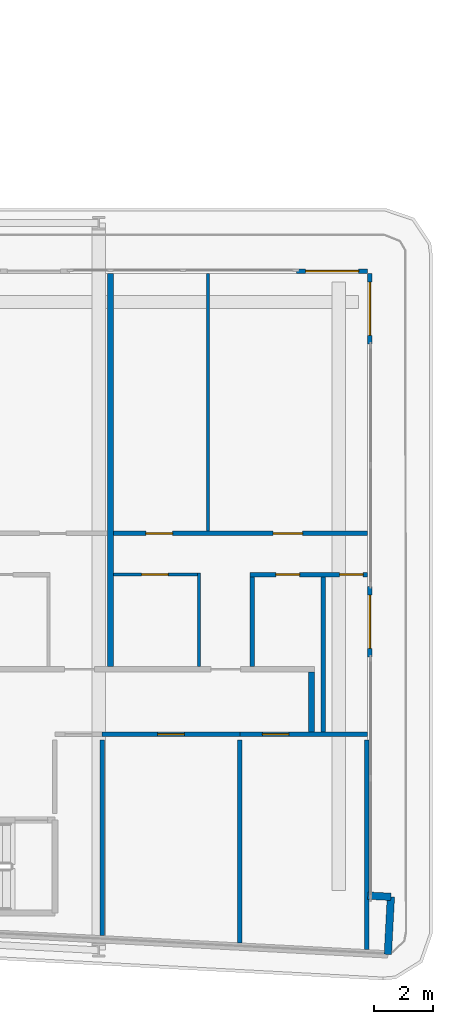
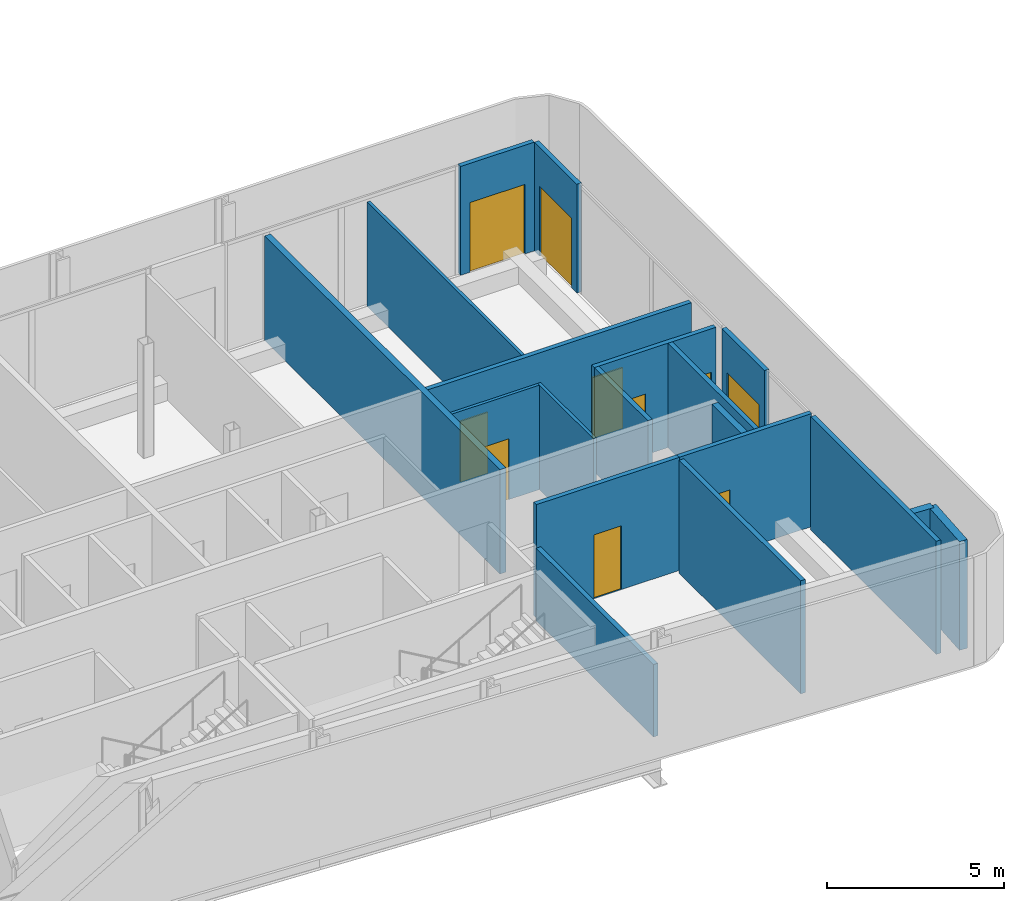
# One storey, part 19 of 28: 19 walls, 10 doors, 10 openings.
"""IFC4 building model written with IfcOpenShell, lengths in metres."""

from ifc_helpers import new_model, si_unit, direction, frame, frame_2d, origin, place, context, subcontext, project, spatial, rectangle, extrude, source, transform, mapped, material, layer, layer_set, type_object, element, fill, save


model = new_model("IFC4")

# Units and contexts
model_context = context("Model", 3, precision=1e-05, world=origin(), true_north=direction((0.0, 1.0)))
body_context = subcontext(model_context, "Body", "Model", "MODEL_VIEW")
ifc_project = project(units=[si_unit("LENGTHUNIT", "METRE"), si_unit("AREAUNIT", "SQUARE_METRE"), si_unit("VOLUMEUNIT", "CUBIC_METRE"), si_unit("PLANEANGLEUNIT", "RADIAN"), si_unit("MASSUNIT", "GRAM", prefix="KILO")], contexts=[model_context])

# Site, building, storey
site_placement = place(None, origin())
site = spatial("IfcSite", under=ifc_project, at=site_placement, CompositionType="ELEMENT")
building_placement = place(site_placement, origin())
building = spatial("IfcBuilding", under=site, at=building_placement, Name="Kheshtan School and Residences Tower", CompositionType="ELEMENT")
storey_placement = place(building_placement, frame((0.0, 0.0, 133.10009765625)))
storey = spatial("IfcBuildingStorey", under=building, at=storey_placement, Name="L31", CompositionType="ELEMENT", Elevation=133.10009765625)

# Walls
ifc_material_1 = material(Name="Gypsum board on steel studs with fire boards", Category="steel")
ifc_layer_1 = layer(ifc_material_1, 0.199951171875)
ifc_layer_set_1 = layer_set([ifc_layer_1], Name="Corridor wall 200")
wall_type_1 = type_object("IfcWallType", Name="Corridor wall 200", PredefinedType="PARTITIONING", material=ifc_layer_set_1)
wall_1_placement = place(storey_placement, frame((98.0, 28.3740234375, 0.0), z_axis=(0.0, 0.0, 1.0), x_axis=(0.0, 1.0, 0.0)))
element("IfcWall", 1, at=wall_1_placement, inside=storey, type_object=wall_type_1, Name="Partition L31-086", PredefinedType="PARTITIONING", context=body_context, shape_type="SweptSolid", body=[
    extrude(rectangle(XDim=2.02587890625, YDim=0.199951171875, at=frame_2d((1.012939453125, 0.0))), origin(), (0.0, 0.0, 1.0), 3.599853515625),
])
ifc_material_2 = material(Name="Concrete C40/50 with ceramic cladding and mineral wool insulation", Category="concrete")
ifc_layer_2 = layer(ifc_material_2, 0.25)
ifc_layer_set_2 = layer_set([ifc_layer_2], Name="External wall 250 ceramic clad")
wall_type_2 = type_object("IfcWallType", Name="External wall 250 ceramic clad", PredefinedType="SOLIDWALL", material=ifc_layer_set_2)
wall_2_placement = place(storey_placement, frame((99.906982421875, 22.839111328125, 0.0), z_axis=(0.0, 0.0, 1.0), x_axis=(0.998561284263, -0.053622398031, 0.0)))
element("IfcWall", 2, at=wall_2_placement, inside=storey, type_object=wall_type_2, Name="External wall L31 14", PredefinedType="SOLIDWALL", context=body_context, shape_type="SweptSolid", body=[
    extrude(rectangle(XDim=0.783203125, YDim=0.25, at=frame_2d((0.3916015625, 0.0))), origin(), (0.0, 0.0, 1.0), 3.75),
])
wall_3_placement = place(storey_placement, frame((100.68896484375, 22.797119140625, 0.0), z_axis=(0.0, 0.0, 1.0), x_axis=(-0.052841433274, -0.998602915542, 0.0)))
element("IfcWall", 3, at=wall_3_placement, inside=storey, type_object=wall_type_2, Name="External wall L31 15", PredefinedType="SOLIDWALL", context=body_context, shape_type="SweptSolid", body=[
    extrude(rectangle(XDim=1.94970703125, YDim=0.25, at=frame_2d((0.974853515625, 0.0))), origin(), (0.0, 0.0, 1.0), 3.75),
])

# Wall, opening, door
ifc_material_3 = material(Name="Aluminium frame wall with insulated infill", Category="aluminium")
ifc_layer_3 = layer(ifc_material_3, 0.14990234375)
ifc_layer_set_3 = layer_set([ifc_layer_3], Name="Glazing frame wall 150")
wall_type_3 = type_object("IfcWallType", Name="Glazing frame wall 150", PredefinedType="SOLIDWALL", material=ifc_layer_set_3)
wall_4_placement = place(storey_placement, frame((97.5, 43.97509765625, 0.0), z_axis=(0.0, 0.0, 1.0), x_axis=(1.0, 0.0, 0.0)))
wall_4 = element("IfcWall", 4, at=wall_4_placement, inside=storey, type_object=wall_type_3, Name="Balcony door wall L31 12.5", PredefinedType="SOLIDWALL", context=body_context, shape_type="SweptSolid", body=[
    extrude(rectangle(XDim=2.39990234375, YDim=0.14990234375, at=frame_2d((1.199951171875, 0.0))), origin(), (0.0, 0.0, 1.0), 3.75),
])
opening_1_placement = place(wall_4_placement, frame((0.300048828125, 0.0, 0.0)))
opening_1 = element("IfcOpeningElement", 5, at=opening_1_placement, cuts=wall_4, Name="Opening BD", PredefinedType="OPENING", context=body_context, shape_type="SweptSolid", body=[
    extrude(rectangle(XDim=1.800048828125, YDim=2.39990234375, at=frame_2d((0.89990234375, 1.199951171875))), frame((0.0, 0.0849609375, 0.0), z_axis=(0.0, -1.0, 0.0), x_axis=(1.0, 0.0, 0.0)), (0.0, 0.0, 1.0), 0.169921875),
])
ifc_material_4 = material(Name="Clear low-e glass in thermally broken aluminium frame", Category="aluminium")
door_type_1 = type_object("IfcDoorType", Name="Balcony sliding door", OperationType="SLIDING_TO_LEFT", PredefinedType="DOOR", material=ifc_material_4)
shared_shape_1 = source(origin(), body_context, "Body", "SweptSolid", [
    extrude(rectangle(XDim=1.800048828125, YDim=2.39990234375, at=frame_2d((0.89990234375, 1.199951171875))), frame((0.0, 0.02490234375, 0.0), z_axis=(0.0, -1.0, 0.0), x_axis=(1.0, 0.0, 0.0)), (0.0, 0.0, 1.0), 0.050048828125),
])
door_1_placement = place(opening_1_placement, origin())
door_1 = element("IfcDoor", 6, at=door_1_placement, inside=storey, type_object=door_type_1, Name="Balcony door L31 12.5", OperationType="SLIDING_TO_LEFT", OverallHeight=2.39990234375, OverallWidth=1.800048828125, PredefinedType="DOOR", context=body_context, shape_type="MappedRepresentation", body=[
    mapped(shared_shape_1, transform((0.0, 0.0, 0.0), x_axis=(1.0, 0.0, 0.0), y_axis=(0.0, 1.0, 0.0), z_axis=(0.0, 0.0, 1.0), scale=1.0)),
])
fill(opening_1, door_1)

wall_5_placement = place(storey_placement, frame((99.97509765625, 43.89990234375, 0.0), z_axis=(0.0, 0.0, 1.0), x_axis=(0.0, -1.0, 0.0)))
wall_5 = element("IfcWall", 7, at=wall_5_placement, inside=storey, type_object=wall_type_3, Name="Balcony door wall L31 13.1", PredefinedType="SOLIDWALL", context=body_context, shape_type="SweptSolid", body=[
    extrude(rectangle(XDim=2.39990234375, YDim=0.14990234375, at=frame_2d((1.199951171875, 0.0))), origin(), (0.0, 0.0, 1.0), 3.75),
])
opening_2_placement = place(wall_5_placement, frame((0.300048828125, 0.0, 0.0)))
opening_2 = element("IfcOpeningElement", 8, at=opening_2_placement, cuts=wall_5, Name="Opening BD", PredefinedType="OPENING", context=body_context, shape_type="SweptSolid", body=[
    extrude(rectangle(XDim=1.800048828125, YDim=2.39990234375, at=frame_2d((0.89990234375, 1.199951171875))), frame((0.0, 0.0849609375, 0.0), z_axis=(0.0, -1.0, 0.0), x_axis=(1.0, 0.0, 0.0)), (0.0, 0.0, 1.0), 0.169921875),
])
door_2_placement = place(opening_2_placement, origin())
door_2 = element("IfcDoor", 9, at=door_2_placement, inside=storey, type_object=door_type_1, Name="Balcony door L31 13.1", OperationType="SLIDING_TO_LEFT", OverallHeight=2.39990234375, OverallWidth=1.800048828125, PredefinedType="DOOR", context=body_context, shape_type="MappedRepresentation", body=[
    mapped(shared_shape_1, transform((0.0, 0.0, 0.0), x_axis=(1.0, 0.0, 0.0), y_axis=(0.0, 1.0, 0.0), z_axis=(0.0, 0.0, 1.0), scale=1.0)),
])
fill(opening_2, door_2)

wall_6_placement = place(storey_placement, frame((99.97509765625, 33.306884765625, 0.0), z_axis=(0.0, 0.0, 1.0), x_axis=(0.0, -1.0, 0.0)))
wall_6 = element("IfcWall", 10, at=wall_6_placement, inside=storey, type_object=wall_type_3, Name="Balcony door wall L31 13.2", PredefinedType="SOLIDWALL", context=body_context, shape_type="SweptSolid", body=[
    extrude(rectangle(XDim=2.39990234375, YDim=0.14990234375, at=frame_2d((1.199951171875, 0.0))), origin(), (0.0, 0.0, 1.0), 3.75),
])
opening_3_placement = place(wall_6_placement, frame((0.300048828125, 0.0, 0.0)))
opening_3 = element("IfcOpeningElement", 11, at=opening_3_placement, cuts=wall_6, Name="Opening BD", PredefinedType="OPENING", context=body_context, shape_type="SweptSolid", body=[
    extrude(rectangle(XDim=1.800048828125, YDim=2.39990234375, at=frame_2d((0.89990234375, 1.199951171875))), frame((0.0, 0.0849609375, 0.0), z_axis=(0.0, -1.0, 0.0), x_axis=(1.0, 0.0, 0.0)), (0.0, 0.0, 1.0), 0.169921875),
])
door_3_placement = place(opening_3_placement, origin())
door_3 = element("IfcDoor", 12, at=door_3_placement, inside=storey, type_object=door_type_1, Name="Balcony door L31 13.2", OperationType="SLIDING_TO_LEFT", OverallHeight=2.39990234375, OverallWidth=1.800048828125, PredefinedType="DOOR", context=body_context, shape_type="MappedRepresentation", body=[
    mapped(shared_shape_1, transform((0.0, 0.0, 0.0), x_axis=(1.0, 0.0, 0.0), y_axis=(0.0, 1.0, 0.0), z_axis=(0.0, 0.0, 1.0), scale=1.0)),
])
fill(opening_3, door_3)

ifc_material_5 = material(Name="Gypsum board on steel studs", Category="steel")
ifc_layer_4 = layer(ifc_material_5, 0.10009765625)
ifc_layer_set_4 = layer_set([ifc_layer_4], Name="Gypsum partition 100")
wall_type_4 = type_object("IfcWallType", Name="Gypsum partition 100", PredefinedType="PARTITIONING", material=ifc_layer_set_4)
wall_7_placement = place(storey_placement, frame((91.300048828125, 33.699951171875, 0.0), z_axis=(0.0, 0.0, 1.0), x_axis=(1.0, 0.0, 0.0)))
wall_7 = element("IfcWall", 13, at=wall_7_placement, inside=storey, type_object=wall_type_4, Name="Partition L31-080", PredefinedType="PARTITIONING", context=body_context, shape_type="SweptSolid", body=[
    extrude(rectangle(XDim=2.849853515625, YDim=0.10009765625, at=frame_2d((1.4248046875, 0.0))), origin(), (0.0, 0.0, 1.0), 3.599853515625),
])
opening_4_placement = place(wall_7_placement, frame((0.949951171875, 0.0, 0.0)))
opening_4 = element("IfcOpeningElement", 14, at=opening_4_placement, cuts=wall_7, Name="Opening D29-030", PredefinedType="OPENING", context=body_context, shape_type="SweptSolid", body=[
    extrude(rectangle(XDim=0.89990234375, YDim=2.10009765625, at=frame_2d((0.449951171875, 1.050048828125))), frame((0.0, 0.06005859375, 0.0), z_axis=(0.0, -1.0, 0.0), x_axis=(1.0, 0.0, 0.0)), (0.0, 0.0, 1.0), 0.1201171875),
])
ifc_material_6 = material(Name="Veneered timber door leaf", Category="wood")
door_type_2 = type_object("IfcDoorType", Name="Door 900 x 2100", OperationType="SINGLE_SWING_LEFT", PredefinedType="DOOR", material=ifc_material_6)
shared_shape_2 = source(origin(), body_context, "Body", "SweptSolid", [
    extrude(rectangle(XDim=0.89990234375, YDim=2.10009765625, at=frame_2d((0.449951171875, 1.050048828125))), frame((0.0, 0.02490234375, 0.0), z_axis=(0.0, -1.0, 0.0), x_axis=(1.0, 0.0, 0.0)), (0.0, 0.0, 1.0), 0.050048828125),
])
door_4_placement = place(opening_4_placement, origin())
door_4 = element("IfcDoor", 15, at=door_4_placement, inside=storey, type_object=door_type_2, Name="Door D29-030", OperationType="SINGLE_SWING_RIGHT", OverallHeight=2.10009765625, OverallWidth=0.89990234375, PredefinedType="DOOR", context=body_context, shape_type="MappedRepresentation", body=[
    mapped(shared_shape_2, transform((0.0, 0.0, 0.0), x_axis=(1.0, 0.0, 0.0), y_axis=(0.0, 1.0, 0.0), z_axis=(0.0, 0.0, 1.0), scale=1.0)),
])
fill(opening_4, door_4)

# Walls
wall_8_placement = place(storey_placement, frame((94.199951171875, 30.60009765625, 0.0), z_axis=(0.0, 0.0, 1.0), x_axis=(0.0, 1.0, 0.0)))
element("IfcWall", 16, at=wall_8_placement, inside=storey, type_object=wall_type_4, Name="Partition L31-082", PredefinedType="PARTITIONING", context=body_context, shape_type="SweptSolid", body=[
    extrude(rectangle(XDim=3.14990234375, YDim=0.10009765625, at=frame_2d((1.574951171875, 0.0))), origin(), (0.0, 0.0, 1.0), 3.599853515625),
])
wall_9_placement = place(storey_placement, frame((94.5, 35.175048828125, 0.0), z_axis=(0.0, 0.0, 1.0), x_axis=(0.0, 1.0, 0.0)))
element("IfcWall", 17, at=wall_9_placement, inside=storey, type_object=wall_type_4, Name="Partition L31-083", PredefinedType="PARTITIONING", context=body_context, shape_type="SweptSolid", body=[
    extrude(rectangle(XDim=8.724853515625, YDim=0.10009765625, at=frame_2d((4.3623046875, 0.0))), origin(), (0.0, 0.0, 1.0), 3.599853515625),
])
ifc_material_7 = material(Name="Fire-board shaft wall system")
ifc_layer_5 = layer(ifc_material_7, 0.14990234375)
ifc_layer_set_5 = layer_set([ifc_layer_5], Name="Service room wall 150")
wall_type_5 = type_object("IfcWallType", Name="Service room wall 150", PredefinedType="PARTITIONING", material=ifc_layer_set_5)
wall_10_placement = place(storey_placement, frame((90.9150390625, 21.487060546875, 0.0), z_axis=(0.0, 0.0, 1.0), x_axis=(0.0, 1.0, 0.0)))
element("IfcWall", 18, at=wall_10_placement, inside=storey, type_object=wall_type_5, Name="Service room wall", PredefinedType="PARTITIONING", context=body_context, shape_type="SweptSolid", body=[
    extrude(rectangle(XDim=6.617919921875, YDim=0.14990234375, at=frame_2d((3.30908203125, 0.0))), origin(), (0.0, 0.0, 1.0), 2.5),
])

# Wall, opening, door
wall_11_placement = place(storey_placement, frame((90.9150390625, 28.300048828125, 0.0), z_axis=(0.0, 0.0, 1.0), x_axis=(1.0, 0.0, 0.0)))
wall_11 = element("IfcWall", 19, at=wall_11_placement, inside=storey, type_object=wall_type_5, Name="Service room wall", PredefinedType="PARTITIONING", context=body_context, shape_type="SweptSolid", body=[
    extrude(rectangle(XDim=4.666015625, YDim=0.14990234375, at=frame_2d((2.3330078125, 0.0))), origin(), (0.0, 0.0, 1.0), 3.89990234375),
])
opening_5_placement = place(wall_11_placement, frame((1.883056640625, 0.0, 0.0)))
opening_5 = element("IfcOpeningElement", 20, at=opening_5_placement, cuts=wall_11, Name="Opening SR90", PredefinedType="OPENING", context=body_context, shape_type="SweptSolid", body=[
    extrude(rectangle(XDim=0.89990234375, YDim=2.199951171875, at=frame_2d((0.449951171875, 1.10009765625))), frame((0.0, 0.0849609375, 0.0), z_axis=(0.0, -1.0, 0.0), x_axis=(1.0, 0.0, 0.0)), (0.0, 0.0, 1.0), 0.169921875),
])
ifc_material_8 = material(Name="Steel door leaf, galvanised", Category="steel")
door_type_3 = type_object("IfcDoorType", Name="Service room door 900 steel 90 min", OperationType="SINGLE_SWING_LEFT", PredefinedType="DOOR", material=ifc_material_8)
shared_shape_3 = source(origin(), body_context, "Body", "SweptSolid", [
    extrude(rectangle(XDim=0.89990234375, YDim=2.199951171875, at=frame_2d((0.449951171875, 1.10009765625))), frame((0.0, 0.02490234375, 0.0), z_axis=(0.0, -1.0, 0.0), x_axis=(1.0, 0.0, 0.0)), (0.0, 0.0, 1.0), 0.050048828125),
])
door_5_placement = place(opening_5_placement, origin())
door_5 = element("IfcDoor", 21, at=door_5_placement, inside=storey, type_object=door_type_3, Name="Service room door", OperationType="SINGLE_SWING_RIGHT", OverallHeight=2.199951171875, OverallWidth=0.89990234375, PredefinedType="DOOR", context=body_context, shape_type="MappedRepresentation", body=[
    mapped(shared_shape_3, transform((0.0, 0.0, 0.0), x_axis=(1.0, 0.0, 0.0), y_axis=(0.0, 1.0, 0.0), z_axis=(0.0, 0.0, 1.0), scale=1.0)),
])
fill(opening_5, door_5)

# Wall
wall_12_placement = place(storey_placement, frame((95.5810546875, 21.240966796875, 0.0), z_axis=(0.0, 0.0, 1.0), x_axis=(0.0, 1.0, 0.0)))
element("IfcWall", 22, at=wall_12_placement, inside=storey, type_object=wall_type_5, Name="Service room wall", PredefinedType="PARTITIONING", context=body_context, shape_type="SweptSolid", body=[
    extrude(rectangle(XDim=6.864013671875, YDim=0.14990234375, at=frame_2d((3.43212890625, 0.0))), origin(), (0.0, 0.0, 1.0), 3.89990234375),
])

# Wall, opening, door
wall_13_placement = place(storey_placement, frame((95.5810546875, 28.300048828125, 0.0), z_axis=(0.0, 0.0, 1.0), x_axis=(1.0, 0.0, 0.0)))
wall_13 = element("IfcWall", 23, at=wall_13_placement, inside=storey, type_object=wall_type_5, Name="Service room wall", PredefinedType="PARTITIONING", context=body_context, shape_type="SweptSolid", body=[
    extrude(rectangle(XDim=4.31689453125, YDim=0.14990234375, at=frame_2d((2.158447265625, 0.0))), origin(), (0.0, 0.0, 1.0), 3.89990234375),
])
opening_6_placement = place(wall_13_placement, frame((0.759033203125, 0.0, 0.0)))
opening_6 = element("IfcOpeningElement", 24, at=opening_6_placement, cuts=wall_13, Name="Opening SR90", PredefinedType="OPENING", context=body_context, shape_type="SweptSolid", body=[
    extrude(rectangle(XDim=0.89990234375, YDim=2.199951171875, at=frame_2d((0.449951171875, 1.10009765625))), frame((0.0, 0.0849609375, 0.0), z_axis=(0.0, -1.0, 0.0), x_axis=(1.0, 0.0, 0.0)), (0.0, 0.0, 1.0), 0.169921875),
])
door_6_placement = place(opening_6_placement, origin())
door_6 = element("IfcDoor", 25, at=door_6_placement, inside=storey, type_object=door_type_3, Name="Service room door", OperationType="SINGLE_SWING_LEFT", OverallHeight=2.199951171875, OverallWidth=0.89990234375, PredefinedType="DOOR", context=body_context, shape_type="MappedRepresentation", body=[
    mapped(shared_shape_3, transform((0.0, 0.0, 0.0), x_axis=(1.0, 0.0, 0.0), y_axis=(0.0, 1.0, 0.0), z_axis=(0.0, 0.0, 1.0), scale=1.0)),
])
fill(opening_6, door_6)

# Walls
wall_14_placement = place(storey_placement, frame((99.8701171875, 21.014892578125, 0.0), z_axis=(0.0, 0.0, 1.0), x_axis=(0.0, 1.0, 0.0)))
element("IfcWall", 26, at=wall_14_placement, inside=storey, type_object=wall_type_5, Name="Service room wall", PredefinedType="PARTITIONING", context=body_context, shape_type="SweptSolid", body=[
    extrude(rectangle(XDim=7.090087890625, YDim=0.14990234375, at=frame_2d((3.544921875, 0.0))), origin(), (0.0, 0.0, 1.0), 3.89990234375),
])
ifc_material_9 = material(Name="Twin gypsum board on steel studs with mineral wool", Category="steel")
ifc_layer_6 = layer(ifc_material_9, 0.199951171875)
ifc_layer_set_6 = layer_set([ifc_layer_6], Name="Unit demising wall 200")
wall_type_6 = type_object("IfcWallType", Name="Unit demising wall 200", PredefinedType="PARTITIONING", material=ifc_layer_set_6)
wall_15_placement = place(storey_placement, frame((91.199951171875, 30.60009765625, 0.0), z_axis=(0.0, 0.0, 1.0), x_axis=(0.0, 1.0, 0.0)))
element("IfcWall", 27, at=wall_15_placement, inside=storey, type_object=wall_type_6, Name="Partition L31-079", PredefinedType="PARTITIONING", context=body_context, shape_type="SweptSolid", body=[
    extrude(rectangle(XDim=13.2998046875, YDim=0.199951171875, at=frame_2d((6.64990234375, 0.0))), origin(), (0.0, 0.0, 1.0), 3.599853515625),
])

# Wall, openings, doors
ifc_material_10 = material(Name="Moisture-resistant gypsum board on steel studs", Category="steel")
ifc_layer_7 = layer(ifc_material_10, 0.14990234375)
ifc_layer_set_7 = layer_set([ifc_layer_7], Name="Wet-room partition 150")
wall_type_7 = type_object("IfcWallType", Name="Wet-room partition 150", PredefinedType="PARTITIONING", material=ifc_layer_set_7)
wall_16_placement = place(storey_placement, frame((91.300048828125, 35.10009765625, 0.0), z_axis=(0.0, 0.0, 1.0), x_axis=(1.0, 0.0, 0.0)))
wall_16 = element("IfcWall", 28, at=wall_16_placement, inside=storey, type_object=wall_type_7, Name="Partition L31-081", PredefinedType="PARTITIONING", context=body_context, shape_type="SweptSolid", body=[
    extrude(rectangle(XDim=8.599853515625, YDim=0.14990234375, at=frame_2d((4.2998046875, 0.0))), origin(), (0.0, 0.0, 1.0), 3.599853515625),
])
opening_7_placement = place(wall_16_placement, frame((1.10009765625, 0.0, 0.0)))
opening_7 = element("IfcOpeningElement", 29, at=opening_7_placement, cuts=wall_16, Name="Opening D29-028", PredefinedType="OPENING", context=body_context, shape_type="SweptSolid", body=[
    extrude(rectangle(XDim=0.89990234375, YDim=2.10009765625, at=frame_2d((0.449951171875, 1.050048828125))), frame((0.0, 0.0849609375, 0.0), z_axis=(0.0, -1.0, 0.0), x_axis=(1.0, 0.0, 0.0)), (0.0, 0.0, 1.0), 0.169921875),
])
opening_8_placement = place(wall_16_placement, frame((5.39990234375, 0.0, 0.0)))
opening_8 = element("IfcOpeningElement", 30, at=opening_8_placement, cuts=wall_16, Name="Opening D29-031", PredefinedType="OPENING", context=body_context, shape_type="SweptSolid", body=[
    extrude(rectangle(XDim=1.0, YDim=2.10009765625, at=frame_2d((0.5, 1.050048828125))), frame((0.0, 0.0849609375, 0.0), z_axis=(0.0, -1.0, 0.0), x_axis=(1.0, 0.0, 0.0)), (0.0, 0.0, 1.0), 0.169921875),
])
door_type_4 = type_object("IfcDoorType", Name="Door 1000 x 2100", OperationType="SINGLE_SWING_LEFT", PredefinedType="DOOR", material=ifc_material_6)
shared_shape_4 = source(origin(), body_context, "Body", "SweptSolid", [
    extrude(rectangle(XDim=1.0, YDim=2.10009765625, at=frame_2d((0.5, 1.050048828125))), frame((0.0, 0.02490234375, 0.0), z_axis=(0.0, -1.0, 0.0), x_axis=(1.0, 0.0, 0.0)), (0.0, 0.0, 1.0), 0.050048828125),
])
door_7_placement = place(opening_8_placement, origin())
door_7 = element("IfcDoor", 31, at=door_7_placement, inside=storey, type_object=door_type_4, Name="Door D29-031", OperationType="SINGLE_SWING_LEFT", OverallHeight=2.10009765625, OverallWidth=1.0, PredefinedType="DOOR", context=body_context, shape_type="MappedRepresentation", body=[
    mapped(shared_shape_4, transform((0.0, 0.0, 0.0), x_axis=(1.0, 0.0, 0.0), y_axis=(0.0, 1.0, 0.0), z_axis=(0.0, 0.0, 1.0), scale=1.0)),
])
fill(opening_8, door_7)
door_8_placement = place(opening_7_placement, origin())
door_8 = element("IfcDoor", 32, at=door_8_placement, inside=storey, type_object=door_type_2, Name="Door D29-028", OperationType="SINGLE_SWING_RIGHT", OverallHeight=2.10009765625, OverallWidth=0.89990234375, PredefinedType="DOOR", context=body_context, shape_type="MappedRepresentation", body=[
    mapped(shared_shape_2, transform((0.0, 0.0, 0.0), x_axis=(1.0, 0.0, 0.0), y_axis=(0.0, 1.0, 0.0), z_axis=(0.0, 0.0, 1.0), scale=1.0)),
])
fill(opening_7, door_8)

wall_17_placement = place(storey_placement, frame((95.925048828125, 33.699951171875, 0.0), z_axis=(0.0, 0.0, 1.0), x_axis=(1.0, 0.0, 0.0)))
wall_17 = element("IfcWall", 33, at=wall_17_placement, inside=storey, type_object=wall_type_7, Name="Partition L31-084", PredefinedType="PARTITIONING", context=body_context, shape_type="SweptSolid", body=[
    extrude(rectangle(XDim=3.974853515625, YDim=0.14990234375, at=frame_2d((1.9873046875, 0.0))), origin(), (0.0, 0.0, 1.0), 3.599853515625),
])
opening_9_placement = place(wall_17_placement, frame((0.875, 0.0, 0.0)))
opening_9 = element("IfcOpeningElement", 34, at=opening_9_placement, cuts=wall_17, Name="Opening D29-027", PredefinedType="OPENING", context=body_context, shape_type="SweptSolid", body=[
    extrude(rectangle(XDim=0.800048828125, YDim=2.10009765625, at=frame_2d((0.39990234375, 1.050048828125))), frame((0.0, 0.0849609375, 0.0), z_axis=(0.0, -1.0, 0.0), x_axis=(1.0, 0.0, 0.0)), (0.0, 0.0, 1.0), 0.169921875),
])
opening_10_placement = place(wall_17_placement, frame((3.02490234375, 0.0, 0.0)))
opening_10 = element("IfcOpeningElement", 35, at=opening_10_placement, cuts=wall_17, Name="Opening D29-032", PredefinedType="OPENING", context=body_context, shape_type="SweptSolid", body=[
    extrude(rectangle(XDim=0.800048828125, YDim=2.10009765625, at=frame_2d((0.39990234375, 1.050048828125))), frame((0.0, 0.0849609375, 0.0), z_axis=(0.0, -1.0, 0.0), x_axis=(1.0, 0.0, 0.0)), (0.0, 0.0, 1.0), 0.169921875),
])
door_type_5 = type_object("IfcDoorType", Name="Door 800 x 2100", OperationType="SINGLE_SWING_LEFT", PredefinedType="DOOR", material=ifc_material_6)
shared_shape_5 = source(origin(), body_context, "Body", "SweptSolid", [
    extrude(rectangle(XDim=0.800048828125, YDim=2.10009765625, at=frame_2d((0.39990234375, 1.050048828125))), frame((0.0, 0.02490234375, 0.0), z_axis=(0.0, -1.0, 0.0), x_axis=(1.0, 0.0, 0.0)), (0.0, 0.0, 1.0), 0.050048828125),
])
door_9_placement = place(opening_9_placement, origin())
door_9 = element("IfcDoor", 36, at=door_9_placement, inside=storey, type_object=door_type_5, Name="Door D29-027", OperationType="SINGLE_SWING_RIGHT", OverallHeight=2.10009765625, OverallWidth=0.800048828125, PredefinedType="DOOR", context=body_context, shape_type="MappedRepresentation", body=[
    mapped(shared_shape_5, transform((0.0, 0.0, 0.0), x_axis=(1.0, 0.0, 0.0), y_axis=(0.0, 1.0, 0.0), z_axis=(0.0, 0.0, 1.0), scale=1.0)),
])
fill(opening_9, door_9)
door_10_placement = place(opening_10_placement, origin())
door_10 = element("IfcDoor", 37, at=door_10_placement, inside=storey, type_object=door_type_5, Name="Door D29-032", OperationType="SINGLE_SWING_RIGHT", OverallHeight=2.10009765625, OverallWidth=0.800048828125, PredefinedType="DOOR", context=body_context, shape_type="MappedRepresentation", body=[
    mapped(shared_shape_5, transform((0.0, 0.0, 0.0), x_axis=(1.0, 0.0, 0.0), y_axis=(0.0, 1.0, 0.0), z_axis=(0.0, 0.0, 1.0), scale=1.0)),
])
fill(opening_10, door_10)

# Walls
wall_18_placement = place(storey_placement, frame((96.0, 30.60009765625, 0.0), z_axis=(0.0, 0.0, 1.0), x_axis=(0.0, 1.0, 0.0)))
element("IfcWall", 38, at=wall_18_placement, inside=storey, type_object=wall_type_7, Name="Partition L31-085", PredefinedType="PARTITIONING", context=body_context, shape_type="SweptSolid", body=[
    extrude(rectangle(XDim=3.02490234375, YDim=0.14990234375, at=frame_2d((1.512451171875, 0.0))), origin(), (0.0, 0.0, 1.0), 3.599853515625),
])
wall_19_placement = place(storey_placement, frame((98.39990234375, 28.3740234375, 0.0), z_axis=(0.0, 0.0, 1.0), x_axis=(0.0, 1.0, 0.0)))
element("IfcWall", 39, at=wall_19_placement, inside=storey, type_object=wall_type_7, Name="Partition L31-087", PredefinedType="PARTITIONING", context=body_context, shape_type="SweptSolid", body=[
    extrude(rectangle(XDim=5.2509765625, YDim=0.14990234375, at=frame_2d((2.62548828125, 0.0))), origin(), (0.0, 0.0, 1.0), 3.599853515625),
])

save(model, "model.ifc")
